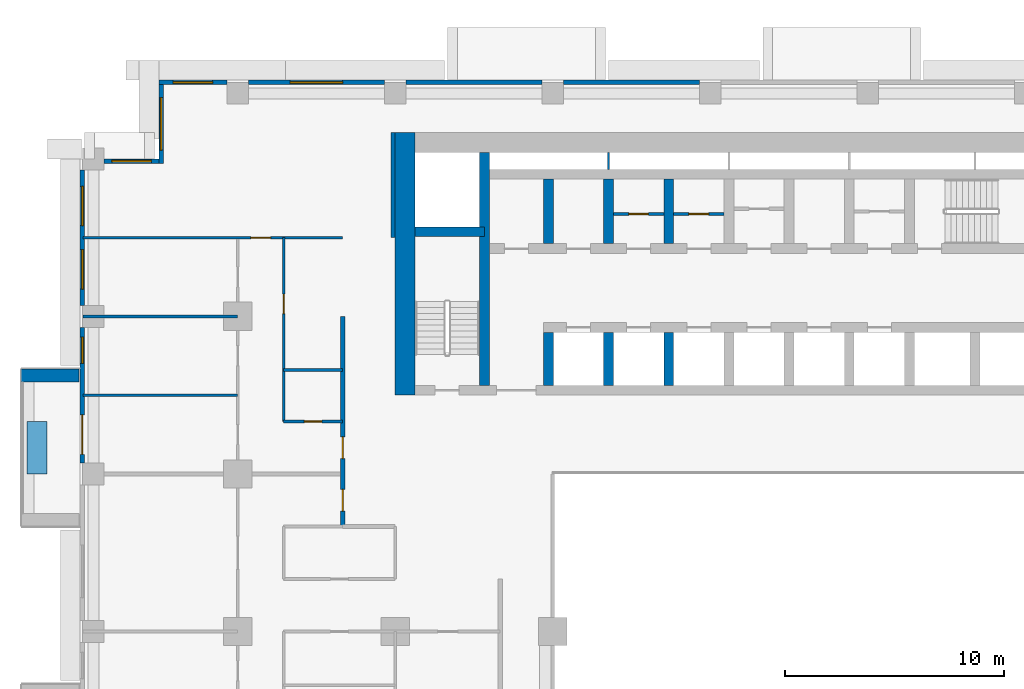
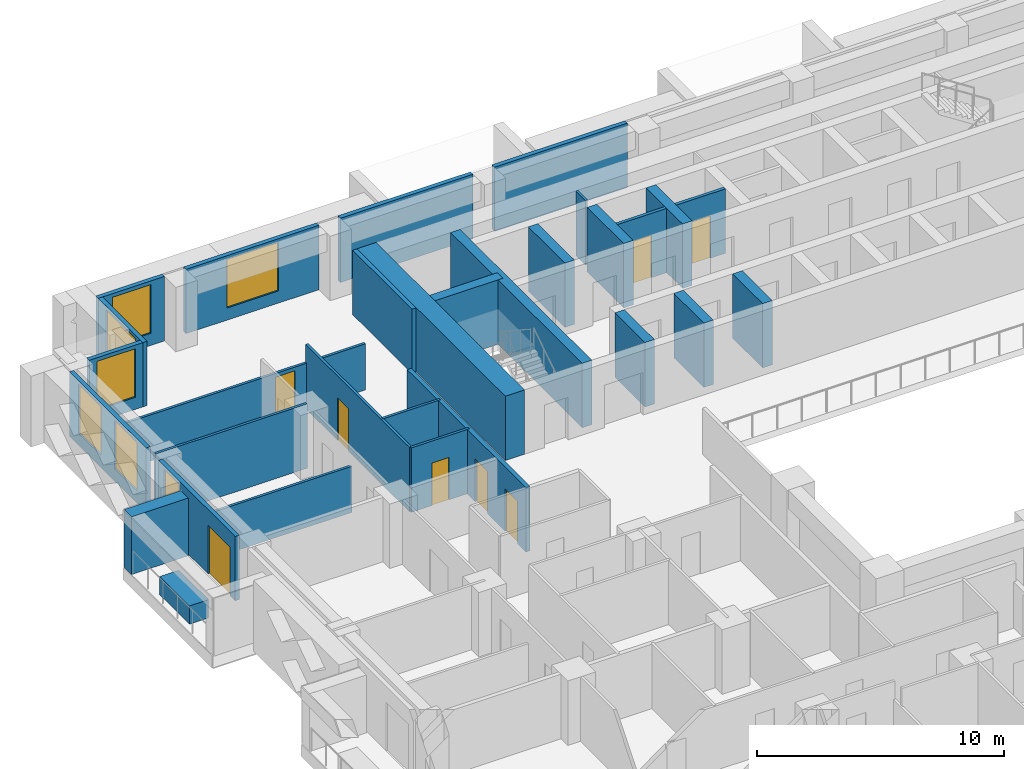
# One storey, part 9 of 17: 30 walls, 8 doors, 7 windows, 15 openings.
"""IFC4 building model written with IfcOpenShell, lengths in metres."""

import ifcopenshell
import ifcopenshell.guid

model = None  # the IFC model being written
_history = None  # IfcOwnerHistory: only IFC2X3 demands one
_inside = {}  # id of a spatial element -> (the spatial element, [elements in it])
_under = {}  # id of a project, library or spatial element -> (it, [spatial elements below it])
_declared = {}  # id of a project -> (the project, [libraries it declares])
_typed = {}  # id of a type object -> (the type object, [elements of that type])
_made_of = {}  # id of a material, layer set ... -> (it, [elements and type objects made of it])


def new_model(schema):
    """Start an empty IFC model of exactly this schema.

    Asked for "IFC4X3", IfcOpenShell would pick the latest addendum, in which some entities
    have other attributes; the version numbers below select the first issue.
    IFC2X3 requires an IfcOwnerHistory on every rooted entity: one is made here for all.
    """
    global model, _history
    if schema == "IFC4X3":
        model = ifcopenshell.file(schema_version=(4, 3, 0, 0))
    else:
        model = ifcopenshell.file(schema=schema)
    _inside.clear()
    _under.clear()
    _declared.clear()
    _typed.clear()
    _made_of.clear()
    _history = None
    if model.schema == "IFC2X3":
        org = make("IfcOrganization", Name="unknown")
        user = make(
            "IfcPersonAndOrganization",
            ThePerson=make("IfcPerson", FamilyName="unknown"),
            TheOrganization=org,
        )
        app = make(
            "IfcApplication",
            ApplicationDeveloper=org,
            Version="unknown",
            ApplicationFullName="unknown",
            ApplicationIdentifier="unknown",
        )
        _history = make(
            "IfcOwnerHistory",
            OwningUser=user,
            OwningApplication=app,
            ChangeAction="ADDED",
            CreationDate=0,
        )
    return model


def make(cls, **values):
    """One entity of the class cls with the attributes given. An attribute that is None is left unset."""
    return model.create_entity(
        cls, **{name: value for name, value in values.items() if value is not None}
    )


def rooted(cls, **values):
    """An entity with a GlobalId (a new one), such as an element, a storey or a relation."""
    return make(cls, GlobalId=ifcopenshell.guid.new(), OwnerHistory=_history, **values)


def si_unit(unit_type, name, prefix=None):
    """IfcSIUnit, for example si_unit("LENGTHUNIT", "METRE", prefix="MILLI")."""
    return make("IfcSIUnit", UnitType=unit_type, Prefix=prefix, Name=name)


def assignment(units):
    """IfcUnitAssignment: the units of a project."""
    return None if units is None else make("IfcUnitAssignment", Units=units)


def point(xyz):
    """IfcCartesianPoint."""
    return None if xyz is None else make("IfcCartesianPoint", Coordinates=xyz)


def direction(xyz):
    """IfcDirection."""
    return None if xyz is None else make("IfcDirection", DirectionRatios=xyz)


def frame(location, z_axis=None, x_axis=None):
    """IfcAxis2Placement3D, a coordinate frame: its origin and axes. An axis left out is left unset."""
    return make(
        "IfcAxis2Placement3D",
        Location=point(location),
        Axis=direction(z_axis),
        RefDirection=direction(x_axis),
    )


def frame_2d(location, x_axis=None):
    """IfcAxis2Placement2D, a coordinate frame in the plane: its origin and x axis."""
    return make(
        "IfcAxis2Placement2D", Location=point(location), RefDirection=direction(x_axis)
    )


def origin():
    """The frame at (0, 0, 0) with its axes left unset."""
    return frame((0.0, 0.0, 0.0))


def place(relative_to, where):
    """IfcLocalPlacement: puts the frame where relative to a parent placement (None: the world)."""
    return make(
        "IfcLocalPlacement", PlacementRelTo=relative_to, RelativePlacement=where
    )


def context(
    kind, dimensions, precision=None, world=None, true_north=None, identifier=None
):
    """IfcGeometricRepresentationContext, for example the 3D "Model" context."""
    return make(
        "IfcGeometricRepresentationContext",
        ContextIdentifier=identifier,
        ContextType=kind,
        CoordinateSpaceDimension=dimensions,
        Precision=precision,
        WorldCoordinateSystem=world,
        TrueNorth=true_north,
    )


def subcontext(parent, identifier, kind, view, scale=None):
    """IfcGeometricRepresentationSubContext, for example "Body" below "Model"."""
    return make(
        "IfcGeometricRepresentationSubContext",
        ContextIdentifier=identifier,
        ContextType=kind,
        ParentContext=parent,
        TargetScale=scale,
        TargetView=view,
    )


def project(units=None, contexts=None):
    """IfcProject with its units and contexts."""
    return rooted(
        "IfcProject",
        Name="project",
        RepresentationContexts=contexts,
        UnitsInContext=assignment(units),
    )


def spatial(cls, under=None, at=None, **own):
    """A site, building, storey or space (cls), placed at a placement, below another one or the project."""
    s = rooted(cls, ObjectPlacement=at, **own)
    if under is not None:
        _under.setdefault(under.id(), (under, []))[1].append(s)
    return s


def profile(cls, at=None, kind="AREA", **sizes):
    """A parametric profile (cls). Its sizes go by their IFC names, for example OverallWidth=200.0."""
    return make(cls, ProfileType=kind, Position=at, **sizes)


def rectangle(**sizes):
    """IfcRectangleProfileDef."""
    return profile("IfcRectangleProfileDef", **sizes)


def extrude(swept, where, along, depth):
    """IfcExtrudedAreaSolid: the profile swept, set in the frame where, extruded along a direction by depth."""
    return make(
        "IfcExtrudedAreaSolid",
        SweptArea=swept,
        Position=where,
        ExtrudedDirection=direction(along),
        Depth=depth,
    )


def shape(context_of_items, identifier, shape_type, items):
    """IfcShapeRepresentation: the items that make up one representation, for example the "Body"."""
    return make(
        "IfcShapeRepresentation",
        ContextOfItems=context_of_items,
        RepresentationIdentifier=identifier,
        RepresentationType=shape_type,
        Items=items,
    )


def material(Name=None, Category=None):
    """IfcMaterial."""
    return make("IfcMaterial", Name=Name, Category=Category)


def layer(
    of_material, thickness, ventilated=None, Name=None, Category=None, Priority=None
):
    """IfcMaterialLayer: one layer of a wall or slab, of a material (None: an air gap)."""
    return make(
        "IfcMaterialLayer",
        Material=of_material,
        LayerThickness=thickness,
        IsVentilated=ventilated,
        Name=Name,
        Category=Category,
        Priority=Priority,
    )


def layer_set(layers, Name=None):
    """IfcMaterialLayerSet."""
    return make("IfcMaterialLayerSet", MaterialLayers=layers, LayerSetName=Name)


def made_of(thing, what):
    """Note that an element or type object is made of a material, layer set ...; save() writes the relation."""
    if what is not None:
        _made_of.setdefault(what.id(), (what, []))[1].append(thing)
    return thing


def type_object(cls, material=None, **own):
    """A type object (cls), such as IfcWallType, which elements share."""
    return made_of(rooted(cls, **own), material)


def element(
    cls,
    number,
    at=None,
    inside=None,
    cuts=None,
    type_object=None,
    material=None,
    context=None,
    identifier="Body",
    shape_type=None,
    held_by="IfcProductDefinitionShape",
    body=None,
    shapes=None,
    **own,
):
    """One element of the class cls, such as IfcWall. Its Tag is "e" and its number.

    at: its placement. inside: the storey or other place that contains it. cuts: it is an
    opening in that element (IfcRelVoidsElement). A single representation is given by context,
    identifier, shape_type and body (its items); several are given by shapes. held_by: the class
    of the entity that holds the representations. save() writes the other relations.
    """
    e = rooted(cls, Tag="e%d" % number, ObjectPlacement=at, **own)
    if body is not None:
        shapes = [shape(context, identifier, shape_type, body)]
    if shapes is not None:
        e.Representation = make(held_by, Representations=shapes)
    if inside is not None:
        _inside.setdefault(inside.id(), (inside, []))[1].append(e)
    if cuts is not None:
        rooted(
            "IfcRelVoidsElement", RelatingBuildingElement=cuts, RelatedOpeningElement=e
        )
    if type_object is not None:
        _typed.setdefault(type_object.id(), (type_object, []))[1].append(e)
    return made_of(e, material)


def fill(opening, filler):
    """IfcRelFillsElement: the door or window that sits in an opening."""
    return rooted(
        "IfcRelFillsElement",
        RelatingOpeningElement=opening,
        RelatedBuildingElement=filler,
    )


def aggregate(whole, parts):
    """IfcRelAggregates: a whole, such as a stair, and the parts it consists of."""
    return rooted("IfcRelAggregates", RelatingObject=whole, RelatedObjects=parts)


def save(model, path):
    """Write the relations noted so far, then the file.

    IfcRelAggregates (storeys below a building ...), IfcRelContainedInSpatialStructure (elements
    in a storey), IfcRelDefinesByType, IfcRelAssociatesMaterial and IfcRelDeclares: one each for
    every whole, place, type object, material and project.
    """
    for whole, parts in _under.values():
        aggregate(whole, parts)
    for where, things in _inside.values():
        rooted(
            "IfcRelContainedInSpatialStructure",
            RelatedElements=things,
            RelatingStructure=where,
        )
    for kind, things in _typed.values():
        rooted("IfcRelDefinesByType", RelatedObjects=things, RelatingType=kind)
    for what, things in _made_of.values():
        rooted("IfcRelAssociatesMaterial", RelatedObjects=things, RelatingMaterial=what)
    for by, libraries in _declared.values():
        rooted("IfcRelDeclares", RelatingContext=by, RelatedDefinitions=libraries)
    model.write(path)


model = new_model("IFC4")

# Units and contexts
model_context = context("Model", 3, precision=1e-05, world=origin(), true_north=direction((0.0, 1.0)))
body_context = subcontext(model_context, "Body", "Model", "MODEL_VIEW")
ifc_project = project(units=[si_unit("LENGTHUNIT", "METRE"), si_unit("AREAUNIT", "SQUARE_METRE"), si_unit("VOLUMEUNIT", "CUBIC_METRE"), si_unit("PLANEANGLEUNIT", "RADIAN"), si_unit("MASSUNIT", "GRAM", prefix="KILO")], contexts=[model_context])

# Site, building, storey
site_placement = place(None, origin())
site = spatial("IfcSite", under=ifc_project, at=site_placement, CompositionType="ELEMENT")
building_placement = place(site_placement, origin())
building = spatial("IfcBuilding", under=site, at=building_placement, Name="Saffron Iwan Residences", CompositionType="ELEMENT")
storey_placement = place(building_placement, frame((0.0, 0.0, 62.0)))
storey = spatial("IfcBuildingStorey", under=building, at=storey_placement, Name="L15", CompositionType="ELEMENT", Elevation=62.0)

# Walls
ifc_material_1 = material(Name="Concrete C50/60 white painted", Category="concrete")
ifc_layer_1 = layer(ifc_material_1, 0.60009765625)
ifc_layer_set_1 = layer_set([ifc_layer_1], Name="Concrete C50/60 white painted")
wall_type_1 = type_object("IfcWallType", Name="BALCONY FIN 600", PredefinedType="SOLIDWALL", material=ifc_layer_set_1)
wall_1_placement = place(storey_placement, frame((14.35009765625, 66.89990234375, 0.0), z_axis=(0.0, 0.0, 1.0), x_axis=(-1.0, 0.0, 0.0)))
element("IfcWall", 1, at=wall_1_placement, inside=storey, type_object=wall_type_1, Name="Balcony fin L15 F8-0a", PredefinedType="SOLIDWALL", context=body_context, shape_type="SweptSolid", body=[
    extrude(rectangle(XDim=2.650146484375, YDim=0.60009765625, at=frame_2d((1.3251953125, 0.0))), origin(), (0.0, 0.0, 1.0), 2.85009765625),
])
ifc_material_2 = material(Name="Concrete C35/45 white painted", Category="concrete")
ifc_layer_2 = layer(ifc_material_2, 0.14990234375)
ifc_layer_set_2 = layer_set([ifc_layer_2], Name="Concrete C35/45 white painted")
wall_type_2 = type_object("IfcWallType", Name="BALCONY PLANTER", PredefinedType="SOLIDWALL", material=ifc_layer_set_2)
wall_2_placement = place(storey_placement, frame((12.425048828125, 64.800048828125, 0.0), z_axis=(0.0, 0.0, 1.0), x_axis=(0.0, -1.0, 0.0)))
element("IfcWall", 2, at=wall_2_placement, inside=storey, type_object=wall_type_2, Name="PLANTER L15 F8-0", PredefinedType="SOLIDWALL", context=body_context, shape_type="SweptSolid", body=[
    extrude(rectangle(XDim=2.400146484375, YDim=0.89990234375, at=frame_2d((1.2001953125, 0.0))), origin(), (0.0, 0.0, 1.0), 0.89990234375),
])

# Wall, opening, door
ifc_material_3 = material(Name="Fire-rated plasterboard partition")
ifc_layer_3 = layer(ifc_material_3, 0.14990234375)
ifc_layer_set_3 = layer_set([ifc_layer_3], Name="Fire-rated plasterboard partition")
wall_type_3 = type_object("IfcWallType", Name="Core partition 150", PredefinedType="PARTITIONING", material=ifc_layer_set_3)
wall_3_placement = place(storey_placement, frame((38.77490234375, 74.281982421875, 0.0), z_axis=(0.0, 0.0, 1.0), x_axis=(1.0, 0.0, 0.0)))
wall_3 = element("IfcWall", 3, at=wall_3_placement, inside=storey, type_object=wall_type_3, Name="Core partition P01", PredefinedType="PARTITIONING", context=body_context, shape_type="SweptSolid", body=[
    extrude(rectangle(XDim=2.300048828125, YDim=0.14990234375, at=frame_2d((1.14990234375, 0.0))), origin(), (0.0, 0.0, 1.0), 3.179931640625),
])
opening_1_placement = place(wall_3_placement, frame((0.699951171875, 0.0, 0.0)))
opening_1 = element("IfcOpeningElement", 4, at=opening_1_placement, cuts=wall_3, Name="Opening SB", PredefinedType="OPENING", context=body_context, shape_type="SweptSolid", body=[
    extrude(rectangle(XDim=0.89990234375, YDim=2.10009765625, at=frame_2d((0.449951171875, 1.050048828125))), frame((0.0, 0.0849609375, 0.0), z_axis=(0.0, -1.0, 0.0), x_axis=(1.0, 0.0, 0.0)), (0.0, 0.0, 1.0), 0.169921875),
])
ifc_material_4 = material(Name="Steel fire door", Category="steel")
door_type_1 = type_object("IfcDoorType", Name="Store door 900", OperationType="NOTDEFINED", PredefinedType="DOOR", material=ifc_material_4)
door_1_placement = place(opening_1_placement, origin())
door_1 = element("IfcDoor", 5, at=door_1_placement, inside=storey, type_object=door_type_1, Name="Door Equipment store", OperationType="SINGLE_SWING_RIGHT", OverallHeight=2.10009765625, OverallWidth=0.89990234375, PredefinedType="DOOR", context=body_context, shape_type="SweptSolid", body=[
    extrude(rectangle(XDim=0.89990234375, YDim=2.10009765625, at=frame_2d((0.449951171875, 1.050048828125))), frame((0.0, 0.02490234375, 0.0), z_axis=(0.0, -1.0, 0.0), x_axis=(1.0, 0.0, 0.0)), (0.0, 0.0, 1.0), 0.050048828125),
])
fill(opening_1, door_1)

wall_4_placement = place(storey_placement, frame((41.52490234375, 74.281982421875, 0.0), z_axis=(0.0, 0.0, 1.0), x_axis=(1.0, 0.0, 0.0)))
wall_4 = element("IfcWall", 6, at=wall_4_placement, inside=storey, type_object=wall_type_3, Name="Core partition P02", PredefinedType="PARTITIONING", context=body_context, shape_type="SweptSolid", body=[
    extrude(rectangle(XDim=2.300048828125, YDim=0.14990234375, at=frame_2d((1.14990234375, 0.0))), origin(), (0.0, 0.0, 1.0), 3.179931640625),
])
opening_2_placement = place(wall_4_placement, frame((0.699951171875, 0.0, 0.0)))
opening_2 = element("IfcOpeningElement", 7, at=opening_2_placement, cuts=wall_4, Name="Opening SB", PredefinedType="OPENING", context=body_context, shape_type="SweptSolid", body=[
    extrude(rectangle(XDim=0.89990234375, YDim=2.10009765625, at=frame_2d((0.449951171875, 1.050048828125))), frame((0.0, 0.0849609375, 0.0), z_axis=(0.0, -1.0, 0.0), x_axis=(1.0, 0.0, 0.0)), (0.0, 0.0, 1.0), 0.169921875),
])
door_2_placement = place(opening_2_placement, origin())
door_2 = element("IfcDoor", 8, at=door_2_placement, inside=storey, type_object=door_type_1, Name="Door Mop store", OperationType="SINGLE_SWING_LEFT", OverallHeight=2.10009765625, OverallWidth=0.89990234375, PredefinedType="DOOR", context=body_context, shape_type="SweptSolid", body=[
    extrude(rectangle(XDim=0.89990234375, YDim=2.10009765625, at=frame_2d((0.449951171875, 1.050048828125))), frame((0.0, 0.02490234375, 0.0), z_axis=(0.0, -1.0, 0.0), x_axis=(1.0, 0.0, 0.0)), (0.0, 0.0, 1.0), 0.050048828125),
])
fill(opening_2, door_2)

# Walls
ifc_material_5 = material(Name="Concrete C40/50", Category="concrete")
ifc_layer_4 = layer(ifc_material_5, 0.199951171875)
ifc_layer_set_4 = layer_set([ifc_layer_4], Name="Concrete C40/50")
wall_type_4 = type_object("IfcWallType", Name="EXTERNAL WALL 200", PredefinedType="SOLIDWALL", material=ifc_layer_set_4)
for number, where, z_axis, x_axis, name in (
    (9, (42.699951171875, 80.300048828125, 0.0), (0.0, 0.0, 1.0), (-1.0, 0.0, 0.0), "External wall L15 F5.6"),
    (10, (35.5, 80.300048828125, 0.0), (0.0, 0.0, 1.0), (-1.0, 0.0, 0.0), "External wall L15 F5.7"),
):
    element("IfcWall", number, at=place(storey_placement, frame(where, z_axis=z_axis, x_axis=x_axis)), inside=storey, type_object=wall_type_4, Name=name, PredefinedType="SOLIDWALL", context=body_context, shape_type="SweptSolid", body=[
        extrude(rectangle(XDim=6.199951171875, YDim=0.199951171875, at=frame_2d((3.10009765625, 0.0))), origin(), (0.0, 0.0, 1.0), 3.179931640625),
    ])

# Wall, opening, window
wall_5_placement = place(storey_placement, frame((28.300048828125, 80.300048828125, 0.0), z_axis=(0.0, 0.0, 1.0), x_axis=(-1.0, 0.0, 0.0)))
wall_5 = element("IfcWall", 11, at=wall_5_placement, inside=storey, type_object=wall_type_4, Name="External wall L15 F5.8", PredefinedType="SOLIDWALL", context=body_context, shape_type="SweptSolid", body=[
    extrude(rectangle(XDim=6.199951171875, YDim=0.199951171875, at=frame_2d((3.10009765625, 0.0))), origin(), (0.0, 0.0, 1.0), 3.179931640625),
])
opening_3_placement = place(wall_5_placement, frame((1.89990234375, 0.0, 0.60009765625)))
opening_3 = element("IfcOpeningElement", 12, at=opening_3_placement, cuts=wall_5, Name="Opening W1", PredefinedType="OPENING", context=body_context, shape_type="SweptSolid", body=[
    extrude(rectangle(XDim=2.39990234375, YDim=2.39990234375, at=frame_2d((1.199951171875, 1.199951171875))), frame((0.0, 0.10986328125, 0.0), z_axis=(0.0, -1.0, 0.0), x_axis=(1.0, 0.0, 0.0)), (0.0, 0.0, 1.0), 0.219970703125),
])
ifc_material_6 = material(Name="Clear glass, laminated double glazed", Category="glass")
window_type_1 = type_object("IfcWindowType", Name="WINDOW 2400 x 2400", PartitioningType="DOUBLE_PANEL_VERTICAL", PredefinedType="WINDOW", material=ifc_material_6)
window_1_placement = place(opening_3_placement, origin())
window_1 = element("IfcWindow", 13, at=window_1_placement, inside=storey, type_object=window_type_1, Name="Window L15 F5.0", OverallHeight=2.39990234375, OverallWidth=2.39990234375, PartitioningType="DOUBLE_PANEL_VERTICAL", PredefinedType="WINDOW", context=body_context, shape_type="SweptSolid", body=[
    extrude(rectangle(XDim=2.39990234375, YDim=2.39990234375, at=frame_2d((1.199951171875, 1.199951171875))), frame((0.0, 0.030029296875, 0.0), z_axis=(0.0, -1.0, 0.0), x_axis=(1.0, 0.0, 0.0)), (0.0, 0.0, 1.0), 0.06005859375),
])
fill(opening_3, window_1)

wall_6_placement = place(storey_placement, frame((21.10009765625, 80.300048828125, 0.0), z_axis=(0.0, 0.0, 1.0), x_axis=(-1.0, 0.0, 0.0)))
wall_6 = element("IfcWall", 14, at=wall_6_placement, inside=storey, type_object=wall_type_4, Name="External wall L15 F5.9", PredefinedType="SOLIDWALL", context=body_context, shape_type="SweptSolid", body=[
    extrude(rectangle(XDim=3.10009765625, YDim=0.199951171875, at=frame_2d((1.550048828125, 0.0))), origin(), (0.0, 0.0, 1.0), 3.179931640625),
])
opening_4_placement = place(wall_6_placement, frame((0.64990234375, 0.0, 0.60009765625)))
opening_4 = element("IfcOpeningElement", 15, at=opening_4_placement, cuts=wall_6, Name="Opening W8", PredefinedType="OPENING", context=body_context, shape_type="SweptSolid", body=[
    extrude(rectangle(XDim=1.800048828125, YDim=2.39990234375, at=frame_2d((0.89990234375, 1.199951171875))), frame((0.0, 0.10986328125, 0.0), z_axis=(0.0, -1.0, 0.0), x_axis=(1.0, 0.0, 0.0)), (0.0, 0.0, 1.0), 0.219970703125),
])
window_type_2 = type_object("IfcWindowType", Name="WINDOW 1800 x 2400", PartitioningType="DOUBLE_PANEL_VERTICAL", PredefinedType="WINDOW", material=ifc_material_6)
window_2_placement = place(opening_4_placement, origin())
window_2 = element("IfcWindow", 16, at=window_2_placement, inside=storey, type_object=window_type_2, Name="Window L15 F5.0", OverallHeight=2.39990234375, OverallWidth=1.800048828125, PartitioningType="DOUBLE_PANEL_VERTICAL", PredefinedType="WINDOW", context=body_context, shape_type="SweptSolid", body=[
    extrude(rectangle(XDim=1.800048828125, YDim=2.39990234375, at=frame_2d((0.89990234375, 1.199951171875))), frame((0.0, 0.030029296875, 0.0), z_axis=(0.0, -1.0, 0.0), x_axis=(1.0, 0.0, 0.0)), (0.0, 0.0, 1.0), 0.06005859375),
])
fill(opening_4, window_2)

wall_7_placement = place(storey_placement, frame((18.10009765625, 80.199951171875, 0.0), z_axis=(0.0, 0.0, 1.0), x_axis=(0.0, -1.0, 0.0)))
wall_7 = element("IfcWall", 17, at=wall_7_placement, inside=storey, type_object=wall_type_4, Name="External wall L15 F6.0", PredefinedType="SOLIDWALL", context=body_context, shape_type="SweptSolid", body=[
    extrude(rectangle(XDim=3.599853515625, YDim=0.199951171875, at=frame_2d((1.7998046875, 0.0))), origin(), (0.0, 0.0, 1.0), 3.179931640625),
])
opening_5_placement = place(wall_7_placement, frame((0.60009765625, 0.0, 0.60009765625)))
opening_5 = element("IfcOpeningElement", 18, at=opening_5_placement, cuts=wall_7, Name="Opening W1", PredefinedType="OPENING", context=body_context, shape_type="SweptSolid", body=[
    extrude(rectangle(XDim=2.39990234375, YDim=2.39990234375, at=frame_2d((1.199951171875, 1.199951171875))), frame((0.0, 0.10986328125, 0.0), z_axis=(0.0, -1.0, 0.0), x_axis=(1.0, 0.0, 0.0)), (0.0, 0.0, 1.0), 0.219970703125),
])
window_3_placement = place(opening_5_placement, origin())
window_3 = element("IfcWindow", 19, at=window_3_placement, inside=storey, type_object=window_type_1, Name="Window L15 F6.0", OverallHeight=2.39990234375, OverallWidth=2.39990234375, PartitioningType="DOUBLE_PANEL_VERTICAL", PredefinedType="WINDOW", context=body_context, shape_type="SweptSolid", body=[
    extrude(rectangle(XDim=2.39990234375, YDim=2.39990234375, at=frame_2d((1.199951171875, 1.199951171875))), frame((0.0, 0.030029296875, 0.0), z_axis=(0.0, -1.0, 0.0), x_axis=(1.0, 0.0, 0.0)), (0.0, 0.0, 1.0), 0.06005859375),
])
fill(opening_5, window_3)

wall_8_placement = place(storey_placement, frame((18.0, 76.699951171875, 0.0), z_axis=(0.0, 0.0, 1.0), x_axis=(-1.0, 0.0, 0.0)))
wall_8 = element("IfcWall", 20, at=wall_8_placement, inside=storey, type_object=wall_type_4, Name="External wall L15 F7.0", PredefinedType="SOLIDWALL", context=body_context, shape_type="SweptSolid", body=[
    extrude(rectangle(XDim=2.5, YDim=0.199951171875, at=frame_2d((1.25, 0.0))), origin(), (0.0, 0.0, 1.0), 3.179931640625),
])
opening_6_placement = place(wall_8_placement, frame((0.35009765625, 0.0, 0.60009765625)))
opening_6 = element("IfcOpeningElement", 21, at=opening_6_placement, cuts=wall_8, Name="Opening W8", PredefinedType="OPENING", context=body_context, shape_type="SweptSolid", body=[
    extrude(rectangle(XDim=1.800048828125, YDim=2.39990234375, at=frame_2d((0.89990234375, 1.199951171875))), frame((0.0, 0.10986328125, 0.0), z_axis=(0.0, -1.0, 0.0), x_axis=(1.0, 0.0, 0.0)), (0.0, 0.0, 1.0), 0.219970703125),
])
window_4_placement = place(opening_6_placement, origin())
window_4 = element("IfcWindow", 22, at=window_4_placement, inside=storey, type_object=window_type_2, Name="Window L15 F7.0", OverallHeight=2.39990234375, OverallWidth=1.800048828125, PartitioningType="DOUBLE_PANEL_VERTICAL", PredefinedType="WINDOW", context=body_context, shape_type="SweptSolid", body=[
    extrude(rectangle(XDim=1.800048828125, YDim=2.39990234375, at=frame_2d((0.89990234375, 1.199951171875))), frame((0.0, 0.030029296875, 0.0), z_axis=(0.0, -1.0, 0.0), x_axis=(1.0, 0.0, 0.0)), (0.0, 0.0, 1.0), 0.06005859375),
])
fill(opening_6, window_4)

# Wall, openings, windows
wall_9_placement = place(storey_placement, frame((14.5, 76.300048828125, 0.0), z_axis=(0.0, 0.0, 1.0), x_axis=(0.0, -1.0, 0.0)))
wall_9 = element("IfcWall", 23, at=wall_9_placement, inside=storey, type_object=wall_type_4, Name="External wall L15 F8.0", PredefinedType="SOLIDWALL", context=body_context, shape_type="SweptSolid", body=[
    extrude(rectangle(XDim=6.199951171875, YDim=0.199951171875, at=frame_2d((3.10009765625, 0.0))), origin(), (0.0, 0.0, 1.0), 3.179931640625),
])
opening_7_placement = place(wall_9_placement, frame((3.64990234375, 0.0, 0.60009765625)))
opening_7 = element("IfcOpeningElement", 24, at=opening_7_placement, cuts=wall_9, Name="Opening W8", PredefinedType="OPENING", context=body_context, shape_type="SweptSolid", body=[
    extrude(rectangle(XDim=1.800048828125, YDim=2.39990234375, at=frame_2d((0.89990234375, 1.199951171875))), frame((0.0, 0.10986328125, 0.0), z_axis=(0.0, -1.0, 0.0), x_axis=(1.0, 0.0, 0.0)), (0.0, 0.0, 1.0), 0.219970703125),
])
opening_8_placement = place(wall_9_placement, frame((0.75, 0.0, 0.60009765625)))
opening_8 = element("IfcOpeningElement", 25, at=opening_8_placement, cuts=wall_9, Name="Opening W8", PredefinedType="OPENING", context=body_context, shape_type="SweptSolid", body=[
    extrude(rectangle(XDim=1.800048828125, YDim=2.39990234375, at=frame_2d((0.89990234375, 1.199951171875))), frame((0.0, 0.10986328125, 0.0), z_axis=(0.0, -1.0, 0.0), x_axis=(1.0, 0.0, 0.0)), (0.0, 0.0, 1.0), 0.219970703125),
])
window_5_placement = place(opening_7_placement, origin())
window_5 = element("IfcWindow", 26, at=window_5_placement, inside=storey, type_object=window_type_2, Name="Window L15 F8.0", OverallHeight=2.39990234375, OverallWidth=1.800048828125, PartitioningType="DOUBLE_PANEL_VERTICAL", PredefinedType="WINDOW", context=body_context, shape_type="SweptSolid", body=[
    extrude(rectangle(XDim=1.800048828125, YDim=2.39990234375, at=frame_2d((0.89990234375, 1.199951171875))), frame((0.0, 0.030029296875, 0.0), z_axis=(0.0, -1.0, 0.0), x_axis=(1.0, 0.0, 0.0)), (0.0, 0.0, 1.0), 0.06005859375),
])
fill(opening_7, window_5)
window_6_placement = place(opening_8_placement, origin())
window_6 = element("IfcWindow", 27, at=window_6_placement, inside=storey, type_object=window_type_2, Name="Window L15 F8.1", OverallHeight=2.39990234375, OverallWidth=1.800048828125, PartitioningType="DOUBLE_PANEL_VERTICAL", PredefinedType="WINDOW", context=body_context, shape_type="SweptSolid", body=[
    extrude(rectangle(XDim=1.800048828125, YDim=2.39990234375, at=frame_2d((0.89990234375, 1.199951171875))), frame((0.0, 0.030029296875, 0.0), z_axis=(0.0, -1.0, 0.0), x_axis=(1.0, 0.0, 0.0)), (0.0, 0.0, 1.0), 0.06005859375),
])
fill(opening_8, window_6)

# Wall, openings, door, window
wall_10_placement = place(storey_placement, frame((14.5, 69.10009765625, 0.0), z_axis=(0.0, 0.0, 1.0), x_axis=(0.0, -1.0, 0.0)))
wall_10 = element("IfcWall", 28, at=wall_10_placement, inside=storey, type_object=wall_type_4, Name="External wall L15 F8.1", PredefinedType="SOLIDWALL", context=body_context, shape_type="SweptSolid", body=[
    extrude(rectangle(XDim=6.2001953125, YDim=0.199951171875, at=frame_2d((3.10009765625, 0.0))), origin(), (0.0, 0.0, 1.0), 3.179931640625),
])
opening_9_placement = place(wall_10_placement, frame((4.0, 0.0, 0.0)))
opening_9 = element("IfcOpeningElement", 29, at=opening_9_placement, cuts=wall_10, Name="Opening BD1", PredefinedType="OPENING", context=body_context, shape_type="SweptSolid", body=[
    extrude(rectangle(XDim=1.800048828125, YDim=2.39990234375, at=frame_2d((0.89990234375, 1.199951171875))), frame((0.0, 0.10986328125, 0.0), z_axis=(0.0, -1.0, 0.0), x_axis=(1.0, 0.0, 0.0)), (0.0, 0.0, 1.0), 0.219970703125),
])
opening_10_placement = place(wall_10_placement, frame((0.449951171875, 0.0, 0.60009765625)))
opening_10 = element("IfcOpeningElement", 30, at=opening_10_placement, cuts=wall_10, Name="Opening W3", PredefinedType="OPENING", context=body_context, shape_type="SweptSolid", body=[
    extrude(rectangle(XDim=1.199951171875, YDim=2.39990234375, at=frame_2d((0.60009765625, 1.199951171875))), frame((0.0, 0.10986328125, 0.0), z_axis=(0.0, -1.0, 0.0), x_axis=(1.0, 0.0, 0.0)), (0.0, 0.0, 1.0), 0.219970703125),
])
door_type_2 = type_object("IfcDoorType", Name="BALCONY DOOR 1800 x 2400", OperationType="DOUBLE_DOOR_SLIDING", PredefinedType="DOOR", material=ifc_material_6)
door_3_placement = place(opening_9_placement, origin())
door_3 = element("IfcDoor", 31, at=door_3_placement, inside=storey, type_object=door_type_2, Name="Balcony door L15 F8.0", OperationType="DOUBLE_DOOR_SLIDING", OverallHeight=2.39990234375, OverallWidth=1.800048828125, PredefinedType="DOOR", context=body_context, shape_type="SweptSolid", body=[
    extrude(rectangle(XDim=1.800048828125, YDim=2.39990234375, at=frame_2d((0.89990234375, 1.199951171875))), frame((0.0, 0.02490234375, 0.0), z_axis=(0.0, -1.0, 0.0), x_axis=(1.0, 0.0, 0.0)), (0.0, 0.0, 1.0), 0.050048828125),
])
fill(opening_9, door_3)
window_type_3 = type_object("IfcWindowType", Name="WINDOW 1200 x 2400", PartitioningType="SINGLE_PANEL", PredefinedType="WINDOW", material=ifc_material_6)
window_7_placement = place(opening_10_placement, origin())
window_7 = element("IfcWindow", 32, at=window_7_placement, inside=storey, type_object=window_type_3, Name="Window L15 F8.1", OverallHeight=2.39990234375, OverallWidth=1.199951171875, PartitioningType="SINGLE_PANEL", PredefinedType="WINDOW", context=body_context, shape_type="SweptSolid", body=[
    extrude(rectangle(XDim=1.199951171875, YDim=2.39990234375, at=frame_2d((0.60009765625, 1.199951171875))), frame((0.0, 0.030029296875, 0.0), z_axis=(0.0, -1.0, 0.0), x_axis=(1.0, 0.0, 0.0)), (0.0, 0.0, 1.0), 0.06005859375),
])
fill(opening_10, window_7)

# Wall, opening, door
ifc_material_7 = material(Name="Gypsum board partition")
ifc_layer_5 = layer(ifc_material_7, 0.1201171875)
ifc_layer_set_5 = layer_set([ifc_layer_5], Name="Gypsum board partition")
wall_type_5 = type_object("IfcWallType", Name="Flat partition 120", PredefinedType="PARTITIONING", material=ifc_layer_set_5)
wall_11_placement = place(storey_placement, frame((23.699951171875, 64.800048828125, 0.0), z_axis=(0.0, 0.0, 1.0), x_axis=(1.0, 0.0, 0.0)))
wall_11 = element("IfcWall", 33, at=wall_11_placement, inside=storey, type_object=wall_type_5, Name="W-L15-PART-h64.8-23.7", PredefinedType="PARTITIONING", context=body_context, shape_type="SweptSolid", body=[
    extrude(rectangle(XDim=2.699951171875, YDim=0.1201171875, at=frame_2d((1.35009765625, 0.0))), origin(), (0.0, 0.0, 1.0), 3.179931640625),
])
opening_11_placement = place(wall_11_placement, frame((0.949951171875, 0.0, 0.0)))
opening_11 = element("IfcOpeningElement", 34, at=opening_11_placement, cuts=wall_11, Name="Opening FD3", PredefinedType="OPENING", context=body_context, shape_type="SweptSolid", body=[
    extrude(rectangle(XDim=0.800048828125, YDim=2.10009765625, at=frame_2d((0.39990234375, 1.050048828125))), frame((0.0, 0.070068359375, 0.0), z_axis=(0.0, -1.0, 0.0), x_axis=(1.0, 0.0, 0.0)), (0.0, 0.0, 1.0), 0.14013671875),
])
ifc_material_8 = material(Name="Timber door", Category="wood")
door_type_3 = type_object("IfcDoorType", Name="Bathroom door 800", OperationType="NOTDEFINED", PredefinedType="DOOR", material=ifc_material_8)
door_4_placement = place(opening_11_placement, origin())
door_4 = element("IfcDoor", 35, at=door_4_placement, inside=storey, type_object=door_type_3, Name="Door L15-032", OperationType="SINGLE_SWING_LEFT", OverallHeight=2.10009765625, OverallWidth=0.800048828125, PredefinedType="DOOR", context=body_context, shape_type="SweptSolid", body=[
    extrude(rectangle(XDim=0.800048828125, YDim=2.10009765625, at=frame_2d((0.39990234375, 1.050048828125))), frame((0.0, 0.02490234375, 0.0), z_axis=(0.0, -1.0, 0.0), x_axis=(1.0, 0.0, 0.0)), (0.0, 0.0, 1.0), 0.050048828125),
])
fill(opening_11, door_4)

# Walls
wall_12_placement = place(storey_placement, frame((14.52490234375, 66.0, 0.0), z_axis=(0.0, 0.0, 1.0), x_axis=(1.0, 0.0, 0.0)))
element("IfcWall", 36, at=wall_12_placement, inside=storey, type_object=wall_type_5, Name="W-L15-PART-h66-14.525", PredefinedType="PARTITIONING", context=body_context, shape_type="SweptSolid", body=[
    extrude(rectangle(XDim=7.0751953125, YDim=0.1201171875, at=frame_2d((3.53759765625, 0.0))), origin(), (0.0, 0.0, 1.0), 2.280029296875),
])
wall_13_placement = place(storey_placement, frame((23.699951171875, 67.14990234375, 0.0), z_axis=(0.0, 0.0, 1.0), x_axis=(1.0, 0.0, 0.0)))
element("IfcWall", 37, at=wall_13_placement, inside=storey, type_object=wall_type_5, Name="W-L15-PART-h67.15-23.7", PredefinedType="PARTITIONING", context=body_context, shape_type="SweptSolid", body=[
    extrude(rectangle(XDim=2.699951171875, YDim=0.1201171875, at=frame_2d((1.35009765625, 0.0))), origin(), (0.0, 0.0, 1.0), 3.179931640625),
])
wall_14_placement = place(storey_placement, frame((14.52490234375, 69.60009765625, 0.0), z_axis=(0.0, 0.0, 1.0), x_axis=(1.0, 0.0, 0.0)))
element("IfcWall", 38, at=wall_14_placement, inside=storey, type_object=wall_type_5, Name="W-L15-PART-h69.6-14.525", PredefinedType="PARTITIONING", context=body_context, shape_type="SweptSolid", body=[
    extrude(rectangle(XDim=7.0751953125, YDim=0.1201171875, at=frame_2d((3.53759765625, 0.0))), origin(), (0.0, 0.0, 1.0), 3.179931640625),
])

# Wall, opening, door
wall_15_placement = place(storey_placement, frame((14.52490234375, 73.199951171875, 0.0), z_axis=(0.0, 0.0, 1.0), x_axis=(1.0, 0.0, 0.0)))
wall_15 = element("IfcWall", 39, at=wall_15_placement, inside=storey, type_object=wall_type_5, Name="W-L15-PART-h73.2-14.525", PredefinedType="PARTITIONING", context=body_context, shape_type="SweptSolid", body=[
    extrude(rectangle(XDim=11.875, YDim=0.1201171875, at=frame_2d((5.9375, 0.0))), origin(), (0.0, 0.0, 1.0), 2.280029296875),
])
opening_12_placement = place(wall_15_placement, frame((7.675048828125, 0.0, 0.0)))
opening_12 = element("IfcOpeningElement", 40, at=opening_12_placement, cuts=wall_15, Name="Opening FD2", PredefinedType="OPENING", context=body_context, shape_type="SweptSolid", body=[
    extrude(rectangle(XDim=0.89990234375, YDim=2.10009765625, at=frame_2d((0.449951171875, 1.050048828125))), frame((0.0, 0.070068359375, 0.0), z_axis=(0.0, -1.0, 0.0), x_axis=(1.0, 0.0, 0.0)), (0.0, 0.0, 1.0), 0.14013671875),
])
door_type_4 = type_object("IfcDoorType", Name="Flat door 900", OperationType="NOTDEFINED", PredefinedType="DOOR", material=ifc_material_8)
door_5_placement = place(opening_12_placement, origin())
door_5 = element("IfcDoor", 41, at=door_5_placement, inside=storey, type_object=door_type_4, Name="Door L15-031", OperationType="SINGLE_SWING_RIGHT", OverallHeight=2.10009765625, OverallWidth=0.89990234375, PredefinedType="DOOR", context=body_context, shape_type="SweptSolid", body=[
    extrude(rectangle(XDim=0.89990234375, YDim=2.10009765625, at=frame_2d((0.449951171875, 1.050048828125))), frame((0.0, 0.02490234375, 0.0), z_axis=(0.0, -1.0, 0.0), x_axis=(1.0, 0.0, 0.0)), (0.0, 0.0, 1.0), 0.050048828125),
])
fill(opening_12, door_5)

wall_16_placement = place(storey_placement, frame((23.699951171875, 64.800048828125, 0.0), z_axis=(0.0, 0.0, 1.0), x_axis=(0.0, 1.0, 0.0)))
wall_16 = element("IfcWall", 42, at=wall_16_placement, inside=storey, type_object=wall_type_5, Name="W-L15-PART-v23.7-64.8", PredefinedType="PARTITIONING", context=body_context, shape_type="SweptSolid", body=[
    extrude(rectangle(XDim=8.39990234375, YDim=0.1201171875, at=frame_2d((4.199951171875, 0.0))), origin(), (0.0, 0.0, 1.0), 3.179931640625),
])
opening_13_placement = place(wall_16_placement, frame((4.925048828125, 0.0, 0.0)))
opening_13 = element("IfcOpeningElement", 43, at=opening_13_placement, cuts=wall_16, Name="Opening FD2", PredefinedType="OPENING", context=body_context, shape_type="SweptSolid", body=[
    extrude(rectangle(XDim=0.89990234375, YDim=2.10009765625, at=frame_2d((0.449951171875, 1.050048828125))), frame((0.0, 0.070068359375, 0.0), z_axis=(0.0, -1.0, 0.0), x_axis=(1.0, 0.0, 0.0)), (0.0, 0.0, 1.0), 0.14013671875),
])
door_6_placement = place(opening_13_placement, origin())
door_6 = element("IfcDoor", 44, at=door_6_placement, inside=storey, type_object=door_type_4, Name="Door L15-033", OperationType="SINGLE_SWING_LEFT", OverallHeight=2.10009765625, OverallWidth=0.89990234375, PredefinedType="DOOR", context=body_context, shape_type="SweptSolid", body=[
    extrude(rectangle(XDim=0.89990234375, YDim=2.10009765625, at=frame_2d((0.449951171875, 1.050048828125))), frame((0.0, 0.02490234375, 0.0), z_axis=(0.0, -1.0, 0.0), x_axis=(1.0, 0.0, 0.0)), (0.0, 0.0, 1.0), 0.050048828125),
])
fill(opening_13, door_6)

# Wall, openings, doors
ifc_material_9 = material(Name="Fire-rated gypsum board wall")
ifc_layer_6 = layer(ifc_material_9, 0.199951171875)
ifc_layer_set_6 = layer_set([ifc_layer_6], Name="Fire-rated gypsum board wall")
wall_type_6 = type_object("IfcWallType", Name="Gallery wall 200", PredefinedType="SOLIDWALL", material=ifc_layer_set_6)
wall_17_placement = place(storey_placement, frame((26.39990234375, 60.0, 0.0), z_axis=(0.0, 0.0, 1.0), x_axis=(0.0, 1.0, 0.0)))
wall_17 = element("IfcWall", 45, at=wall_17_placement, inside=storey, type_object=wall_type_6, Name="W-L15-CORR-v26.4-60", PredefinedType="SOLIDWALL", context=body_context, shape_type="SweptSolid", body=[
    extrude(rectangle(XDim=9.60009765625, YDim=0.199951171875, at=frame_2d((4.800048828125, 0.0))), origin(), (0.0, 0.0, 1.0), 3.179931640625),
])
opening_14_placement = place(wall_17_placement, frame((0.699951171875, 0.0, 0.0)))
opening_14 = element("IfcOpeningElement", 46, at=opening_14_placement, cuts=wall_17, Name="Opening FD1", PredefinedType="OPENING", context=body_context, shape_type="SweptSolid", body=[
    extrude(rectangle(XDim=1.0, YDim=2.10009765625, at=frame_2d((0.5, 1.050048828125))), frame((0.0, 0.10986328125, 0.0), z_axis=(0.0, -1.0, 0.0), x_axis=(1.0, 0.0, 0.0)), (0.0, 0.0, 1.0), 0.219970703125),
])
opening_15_placement = place(wall_17_placement, frame((3.10009765625, 0.0, 0.0)))
opening_15 = element("IfcOpeningElement", 47, at=opening_15_placement, cuts=wall_17, Name="Opening FD1", PredefinedType="OPENING", context=body_context, shape_type="SweptSolid", body=[
    extrude(rectangle(XDim=1.0, YDim=2.10009765625, at=frame_2d((0.5, 1.050048828125))), frame((0.0, 0.10986328125, 0.0), z_axis=(0.0, -1.0, 0.0), x_axis=(1.0, 0.0, 0.0)), (0.0, 0.0, 1.0), 0.219970703125),
])
ifc_material_10 = material(Name="Fire-rated timber door", Category="wood")
door_type_5 = type_object("IfcDoorType", Name="FD30S flat entrance door 1000", OperationType="NOTDEFINED", PredefinedType="DOOR", material=ifc_material_10)
door_7_placement = place(opening_14_placement, origin())
door_7 = element("IfcDoor", 48, at=door_7_placement, inside=storey, type_object=door_type_5, Name="Door L15-012", OperationType="SINGLE_SWING_LEFT", OverallHeight=2.10009765625, OverallWidth=1.0, PredefinedType="DOOR", context=body_context, shape_type="SweptSolid", body=[
    extrude(rectangle(XDim=1.0, YDim=2.10009765625, at=frame_2d((0.5, 1.050048828125))), frame((0.0, 0.02490234375, 0.0), z_axis=(0.0, -1.0, 0.0), x_axis=(1.0, 0.0, 0.0)), (0.0, 0.0, 1.0), 0.050048828125),
])
fill(opening_14, door_7)
door_8_placement = place(opening_15_placement, origin())
door_8 = element("IfcDoor", 49, at=door_8_placement, inside=storey, type_object=door_type_5, Name="Door L15-027", OperationType="SINGLE_SWING_LEFT", OverallHeight=2.10009765625, OverallWidth=1.0, PredefinedType="DOOR", context=body_context, shape_type="SweptSolid", body=[
    extrude(rectangle(XDim=1.0, YDim=2.10009765625, at=frame_2d((0.5, 1.050048828125))), frame((0.0, 0.02490234375, 0.0), z_axis=(0.0, -1.0, 0.0), x_axis=(1.0, 0.0, 0.0)), (0.0, 0.0, 1.0), 0.050048828125),
])
fill(opening_15, door_8)

# Walls
wall_18_placement = place(storey_placement, frame((28.699951171875, 73.199951171875, 0.0), z_axis=(0.0, 0.0, 1.0), x_axis=(0.0, 1.0, 0.0)))
element("IfcWall", 50, at=wall_18_placement, inside=storey, type_object=wall_type_6, Name="W-L15-CORR-v28.8-73.2", PredefinedType="SOLIDWALL", context=body_context, shape_type="SweptSolid", body=[
    extrude(rectangle(XDim=4.800048828125, YDim=0.199951171875, at=frame_2d((2.39990234375, 0.0))), origin(), (0.0, 0.0, 1.0), 3.179931640625),
])
ifc_layer_7 = layer(ifc_material_3, 0.10009765625)
ifc_layer_set_7 = layer_set([ifc_layer_7], Name="Fire-rated plasterboard partition")
wall_type_7 = type_object("IfcWallType", Name="Riser partition 100", PredefinedType="PARTITIONING", material=ifc_layer_set_7)
wall_19_placement = place(storey_placement, frame((38.550048828125, 76.324951171875, 0.0), z_axis=(0.0, 0.0, 1.0), x_axis=(0.0, 1.0, 0.0)))
element("IfcWall", 51, at=wall_19_placement, inside=storey, type_object=wall_type_7, Name="Core partition P05", PredefinedType="PARTITIONING", context=body_context, shape_type="SweptSolid", body=[
    extrude(rectangle(XDim=0.775146484375, YDim=0.10009765625, at=frame_2d((0.3876953125, 0.0))), origin(), (0.0, 0.0, 1.0), 3.179931640625),
])
ifc_material_11 = material(Name="Concrete C60/75", Category="concrete")
ifc_layer_8 = layer(ifc_material_11, 0.449951171875)
ifc_layer_set_8 = layer_set([ifc_layer_8], Name="Concrete C60/75")
wall_type_8 = type_object("IfcWallType", Name="WALL CORE 450 C60/75 3180 HIGH", PredefinedType="SHEAR", material=ifc_layer_set_8)
wall_20_placement = place(storey_placement, frame((29.699951171875, 73.47509765625, 0.0), z_axis=(0.0, 0.0, 1.0), x_axis=(1.0, 0.0, 0.0)))
element("IfcWall", 52, at=wall_20_placement, inside=storey, type_object=wall_type_8, Name="Core wall", PredefinedType="SHEAR", context=body_context, shape_type="SweptSolid", body=[
    extrude(rectangle(XDim=3.175048828125, YDim=0.449951171875, at=frame_2d((1.58740234375, 0.0))), origin(), (0.0, 0.0, 1.0), 3.179931640625),
])
wall_21_placement = place(storey_placement, frame((32.875, 66.449951171875, 0.0), z_axis=(0.0, 0.0, 1.0), x_axis=(0.0, 1.0, 0.0)))
element("IfcWall", 53, at=wall_21_placement, inside=storey, type_object=wall_type_8, Name="Core wall", PredefinedType="SHEAR", context=body_context, shape_type="SweptSolid", body=[
    extrude(rectangle(XDim=10.650146484375, YDim=0.449951171875, at=frame_2d((5.3251953125, 0.0))), origin(), (0.0, 0.0, 1.0), 3.179931640625),
])
for number, where, z_axis, x_axis, name in (
    (54, (35.800048828125, 66.449951171875, 0.0), (0.0, 0.0, 1.0), (0.0, 1.0, 0.0), "Core wall"),
    (55, (38.550048828125, 66.449951171875, 0.0), (0.0, 0.0, 1.0), (0.0, 1.0, 0.0), "Core wall"),
    (56, (41.300048828125, 66.449951171875, 0.0), (0.0, 0.0, 1.0), (0.0, 1.0, 0.0), "Core wall"),
):
    element("IfcWall", number, at=place(storey_placement, frame(where, z_axis=z_axis, x_axis=x_axis)), inside=storey, type_object=wall_type_8, Name=name, PredefinedType="SHEAR", context=body_context, shape_type="SweptSolid", body=[
        extrude(rectangle(XDim=2.425048828125, YDim=0.449951171875, at=frame_2d((1.21240234375, 0.0))), origin(), (0.0, 0.0, 1.0), 3.179931640625),
    ])
for number, where, z_axis, x_axis, name in (
    (57, (35.800048828125, 72.925048828125, 0.0), (0.0, 0.0, 1.0), (0.0, 1.0, 0.0), "Core wall"),
    (58, (38.550048828125, 72.925048828125, 0.0), (0.0, 0.0, 1.0), (0.0, 1.0, 0.0), "Core wall"),
    (59, (41.300048828125, 72.925048828125, 0.0), (0.0, 0.0, 1.0), (0.0, 1.0, 0.0), "Core wall"),
):
    element("IfcWall", number, at=place(storey_placement, frame(where, z_axis=z_axis, x_axis=x_axis)), inside=storey, type_object=wall_type_8, Name=name, PredefinedType="SHEAR", context=body_context, shape_type="SweptSolid", body=[
        extrude(rectangle(XDim=2.949951171875, YDim=0.449951171875, at=frame_2d((1.47509765625, 0.0))), origin(), (0.0, 0.0, 1.0), 3.179931640625),
    ])
ifc_layer_9 = layer(ifc_material_11, 0.89990234375)
ifc_layer_set_9 = layer_set([ifc_layer_9], Name="Concrete C60/75")
wall_type_9 = type_object("IfcWallType", Name="WALL CORE 900 C60/75 3180 HIGH", PredefinedType="SHEAR", material=ifc_layer_set_9)
wall_22_placement = place(storey_placement, frame((29.25, 66.0, 0.0), z_axis=(0.0, 0.0, 1.0), x_axis=(0.0, 1.0, 0.0)))
element("IfcWall", 60, at=wall_22_placement, inside=storey, type_object=wall_type_9, Name="Core wall", PredefinedType="SHEAR", context=body_context, shape_type="SweptSolid", body=[
    extrude(rectangle(XDim=12.0, YDim=0.89990234375, at=frame_2d((6.0, 0.0))), origin(), (0.0, 0.0, 1.0), 3.179931640625),
])

save(model, "model.ifc")
